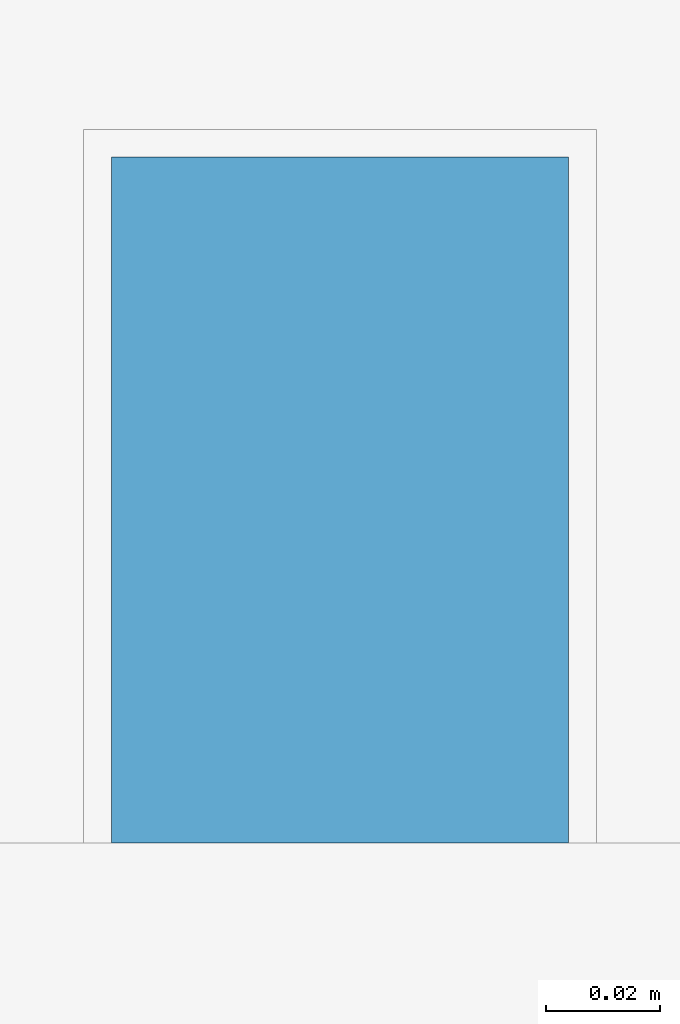
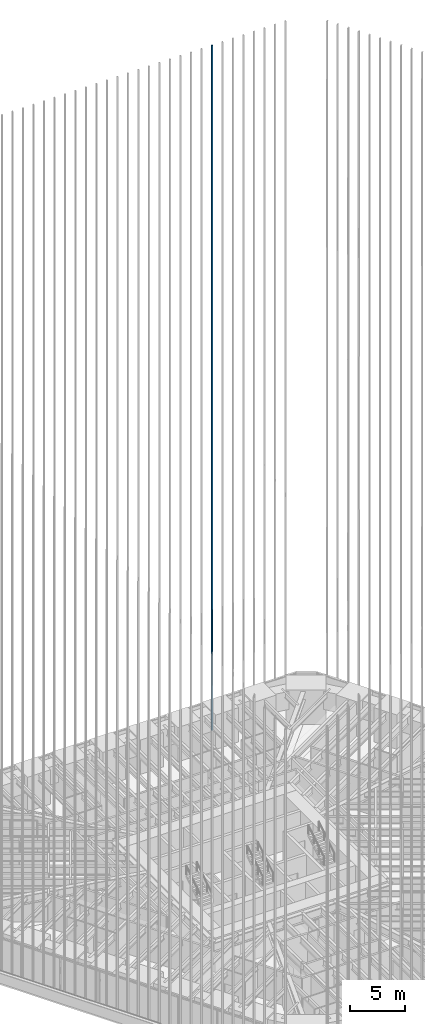
# One storey, part 210 of 238: 1 member, 1 element without a shape of its own.
"""IFC4 building model written with IfcOpenShell, lengths in metres."""

import ifcopenshell
import ifcopenshell.guid

model = None  # the IFC model being written
_history = None  # IfcOwnerHistory: only IFC2X3 demands one
_inside = {}  # id of a spatial element -> (the spatial element, [elements in it])
_under = {}  # id of a project, library or spatial element -> (it, [spatial elements below it])
_declared = {}  # id of a project -> (the project, [libraries it declares])
_typed = {}  # id of a type object -> (the type object, [elements of that type])
_made_of = {}  # id of a material, layer set ... -> (it, [elements and type objects made of it])


def new_model(schema):
    """Start an empty IFC model of exactly this schema.

    Asked for "IFC4X3", IfcOpenShell would pick the latest addendum, in which some entities
    have other attributes; the version numbers below select the first issue.
    IFC2X3 requires an IfcOwnerHistory on every rooted entity: one is made here for all.
    """
    global model, _history
    if schema == "IFC4X3":
        model = ifcopenshell.file(schema_version=(4, 3, 0, 0))
    else:
        model = ifcopenshell.file(schema=schema)
    _inside.clear()
    _under.clear()
    _declared.clear()
    _typed.clear()
    _made_of.clear()
    _history = None
    if model.schema == "IFC2X3":
        org = make("IfcOrganization", Name="unknown")
        user = make(
            "IfcPersonAndOrganization",
            ThePerson=make("IfcPerson", FamilyName="unknown"),
            TheOrganization=org,
        )
        app = make(
            "IfcApplication",
            ApplicationDeveloper=org,
            Version="unknown",
            ApplicationFullName="unknown",
            ApplicationIdentifier="unknown",
        )
        _history = make(
            "IfcOwnerHistory",
            OwningUser=user,
            OwningApplication=app,
            ChangeAction="ADDED",
            CreationDate=0,
        )
    return model


def make(cls, **values):
    """One entity of the class cls with the attributes given. An attribute that is None is left unset."""
    return model.create_entity(
        cls, **{name: value for name, value in values.items() if value is not None}
    )


def rooted(cls, **values):
    """An entity with a GlobalId (a new one), such as an element, a storey or a relation."""
    return make(cls, GlobalId=ifcopenshell.guid.new(), OwnerHistory=_history, **values)


def si_unit(unit_type, name, prefix=None):
    """IfcSIUnit, for example si_unit("LENGTHUNIT", "METRE", prefix="MILLI")."""
    return make("IfcSIUnit", UnitType=unit_type, Prefix=prefix, Name=name)


def assignment(units):
    """IfcUnitAssignment: the units of a project."""
    return None if units is None else make("IfcUnitAssignment", Units=units)


def point(xyz):
    """IfcCartesianPoint."""
    return None if xyz is None else make("IfcCartesianPoint", Coordinates=xyz)


def direction(xyz):
    """IfcDirection."""
    return None if xyz is None else make("IfcDirection", DirectionRatios=xyz)


def frame(location, z_axis=None, x_axis=None):
    """IfcAxis2Placement3D, a coordinate frame: its origin and axes. An axis left out is left unset."""
    return make(
        "IfcAxis2Placement3D",
        Location=point(location),
        Axis=direction(z_axis),
        RefDirection=direction(x_axis),
    )


def frame_2d(location, x_axis=None):
    """IfcAxis2Placement2D, a coordinate frame in the plane: its origin and x axis."""
    return make(
        "IfcAxis2Placement2D", Location=point(location), RefDirection=direction(x_axis)
    )


def origin():
    """The frame at (0, 0, 0) with its axes left unset."""
    return frame((0.0, 0.0, 0.0))


def origin_2d():
    """The frame at (0, 0) in the plane with its x axis left unset."""
    return frame_2d((0.0, 0.0))


def place(relative_to, where):
    """IfcLocalPlacement: puts the frame where relative to a parent placement (None: the world)."""
    return make(
        "IfcLocalPlacement", PlacementRelTo=relative_to, RelativePlacement=where
    )


def context(
    kind, dimensions, precision=None, world=None, true_north=None, identifier=None
):
    """IfcGeometricRepresentationContext, for example the 3D "Model" context."""
    return make(
        "IfcGeometricRepresentationContext",
        ContextIdentifier=identifier,
        ContextType=kind,
        CoordinateSpaceDimension=dimensions,
        Precision=precision,
        WorldCoordinateSystem=world,
        TrueNorth=true_north,
    )


def subcontext(parent, identifier, kind, view, scale=None):
    """IfcGeometricRepresentationSubContext, for example "Body" below "Model"."""
    return make(
        "IfcGeometricRepresentationSubContext",
        ContextIdentifier=identifier,
        ContextType=kind,
        ParentContext=parent,
        TargetScale=scale,
        TargetView=view,
    )


def project(units=None, contexts=None):
    """IfcProject with its units and contexts."""
    return rooted(
        "IfcProject",
        Name="project",
        RepresentationContexts=contexts,
        UnitsInContext=assignment(units),
    )


def spatial(cls, under=None, at=None, **own):
    """A site, building, storey or space (cls), placed at a placement, below another one or the project."""
    s = rooted(cls, ObjectPlacement=at, **own)
    if under is not None:
        _under.setdefault(under.id(), (under, []))[1].append(s)
    return s


def profile(cls, at=None, kind="AREA", **sizes):
    """A parametric profile (cls). Its sizes go by their IFC names, for example OverallWidth=200.0."""
    return make(cls, ProfileType=kind, Position=at, **sizes)


def rectangle(**sizes):
    """IfcRectangleProfileDef."""
    return profile("IfcRectangleProfileDef", **sizes)


def extrude(swept, where, along, depth):
    """IfcExtrudedAreaSolid: the profile swept, set in the frame where, extruded along a direction by depth."""
    return make(
        "IfcExtrudedAreaSolid",
        SweptArea=swept,
        Position=where,
        ExtrudedDirection=direction(along),
        Depth=depth,
    )


def shape(context_of_items, identifier, shape_type, items):
    """IfcShapeRepresentation: the items that make up one representation, for example the "Body"."""
    return make(
        "IfcShapeRepresentation",
        ContextOfItems=context_of_items,
        RepresentationIdentifier=identifier,
        RepresentationType=shape_type,
        Items=items,
    )


def material(Name=None, Category=None):
    """IfcMaterial."""
    return make("IfcMaterial", Name=Name, Category=Category)


def material_profile(
    of_material, cross_section, Name=None, Category=None, Priority=None
):
    """IfcMaterialProfile: a cross section and its material."""
    return make(
        "IfcMaterialProfile",
        Name=Name,
        Material=of_material,
        Profile=cross_section,
        Priority=Priority,
        Category=Category,
    )


def profile_set(profiles, Name=None, composite=None):
    """IfcMaterialProfileSet."""
    return make(
        "IfcMaterialProfileSet",
        Name=Name,
        MaterialProfiles=profiles,
        CompositeProfile=composite,
    )


def made_of(thing, what):
    """Note that an element or type object is made of a material, layer set ...; save() writes the relation."""
    if what is not None:
        _made_of.setdefault(what.id(), (what, []))[1].append(thing)
    return thing


def type_object(cls, material=None, **own):
    """A type object (cls), such as IfcWallType, which elements share."""
    return made_of(rooted(cls, **own), material)


def element(
    cls,
    number,
    at=None,
    inside=None,
    cuts=None,
    type_object=None,
    material=None,
    context=None,
    identifier="Body",
    shape_type=None,
    held_by="IfcProductDefinitionShape",
    body=None,
    shapes=None,
    **own,
):
    """One element of the class cls, such as IfcWall. Its Tag is "e" and its number.

    at: its placement. inside: the storey or other place that contains it. cuts: it is an
    opening in that element (IfcRelVoidsElement). A single representation is given by context,
    identifier, shape_type and body (its items); several are given by shapes. held_by: the class
    of the entity that holds the representations. save() writes the other relations.
    """
    e = rooted(cls, Tag="e%d" % number, ObjectPlacement=at, **own)
    if body is not None:
        shapes = [shape(context, identifier, shape_type, body)]
    if shapes is not None:
        e.Representation = make(held_by, Representations=shapes)
    if inside is not None:
        _inside.setdefault(inside.id(), (inside, []))[1].append(e)
    if cuts is not None:
        rooted(
            "IfcRelVoidsElement", RelatingBuildingElement=cuts, RelatedOpeningElement=e
        )
    if type_object is not None:
        _typed.setdefault(type_object.id(), (type_object, []))[1].append(e)
    return made_of(e, material)


def aggregate(whole, parts):
    """IfcRelAggregates: a whole, such as a stair, and the parts it consists of."""
    return rooted("IfcRelAggregates", RelatingObject=whole, RelatedObjects=parts)


def save(model, path):
    """Write the relations noted so far, then the file.

    IfcRelAggregates (storeys below a building ...), IfcRelContainedInSpatialStructure (elements
    in a storey), IfcRelDefinesByType, IfcRelAssociatesMaterial and IfcRelDeclares: one each for
    every whole, place, type object, material and project.
    """
    for whole, parts in _under.values():
        aggregate(whole, parts)
    for where, things in _inside.values():
        rooted(
            "IfcRelContainedInSpatialStructure",
            RelatedElements=things,
            RelatingStructure=where,
        )
    for kind, things in _typed.values():
        rooted("IfcRelDefinesByType", RelatedObjects=things, RelatingType=kind)
    for what, things in _made_of.values():
        rooted("IfcRelAssociatesMaterial", RelatedObjects=things, RelatingMaterial=what)
    for by, libraries in _declared.values():
        rooted("IfcRelDeclares", RelatingContext=by, RelatedDefinitions=libraries)
    model.write(path)


model = new_model("IFC4")

# Units and contexts
model_context = context("Model", 3, precision=1e-05, world=origin(), true_north=direction((0.0, 1.0)))
body_context = subcontext(model_context, "Body", "Model", "MODEL_VIEW")
ifc_project = project(units=[si_unit("LENGTHUNIT", "METRE"), si_unit("AREAUNIT", "SQUARE_METRE"), si_unit("VOLUMEUNIT", "CUBIC_METRE"), si_unit("PLANEANGLEUNIT", "RADIAN"), si_unit("MASSUNIT", "GRAM", prefix="KILO")], contexts=[model_context])

# Site, building, storey
site_placement = place(None, origin())
site = spatial("IfcSite", under=ifc_project, at=site_placement, CompositionType="ELEMENT")
building_placement = place(site_placement, origin())
building = spatial("IfcBuilding", under=site, at=building_placement, Name="Sandreach Pilgrim Tower", CompositionType="ELEMENT")
storey_placement = place(building_placement, frame((0.0, 0.0, 96.800048828125)))
storey = spatial("IfcBuildingStorey", under=building, at=storey_placement, Name="L23", CompositionType="ELEMENT", Elevation=96.800048828125)

# Curtain wall, member
ifc_material_1 = material(Name="Aluminium framed curtain wall", Category="aluminium")
curtain_wall_type = type_object("IfcCurtainWallType", Name="Hotel tower curtain wall", PredefinedType="NOTDEFINED", material=ifc_material_1)
curtain_wall_placement = place(storey_placement, origin())
curtain_wall = element("IfcCurtainWall", 1, at=curtain_wall_placement, inside=storey, type_object=curtain_wall_type, Name="CW-2 L23 N", PredefinedType="NOTDEFINED")
ifc_material_2 = material(Name="Extruded terracotta on aluminium core", Category="masonry")
ifc_material_profile = material_profile(ifc_material_2, rectangle(XDim=0.080078125, YDim=0.1201171875, at=origin_2d()), Name="TBN 80X120")
ifc_profile_set = profile_set([ifc_material_profile], Name="Extruded terracotta on aluminium core")
member_type = type_object("IfcMemberType", Name="Terracotta baguette north", PredefinedType="USERDEFINED", material=ifc_profile_set)
member_placement = place(storey_placement, frame((9.894287109375, 22.853759765625, 0.0), z_axis=(0.0, 0.0, 1.0), x_axis=(1.0, 0.0, 0.0)))
member = element("IfcMember", 2, at=member_placement, type_object=member_type, Name="Baguette Z2 N26", ObjectType="BAGUETTE", PredefinedType="USERDEFINED", context=body_context, shape_type="SweptSolid", body=[
    extrude(rectangle(XDim=0.080078125, YDim=0.1201171875, at=origin_2d()), origin(), (0.0, 0.0, 1.0), 75.83984375),
])
aggregate(curtain_wall, [member])

save(model, "model.ifc")
